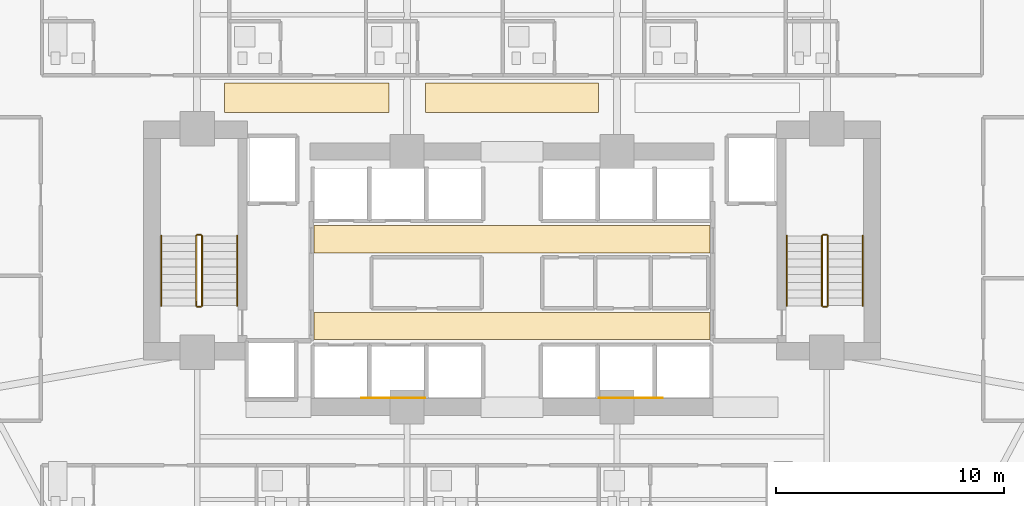
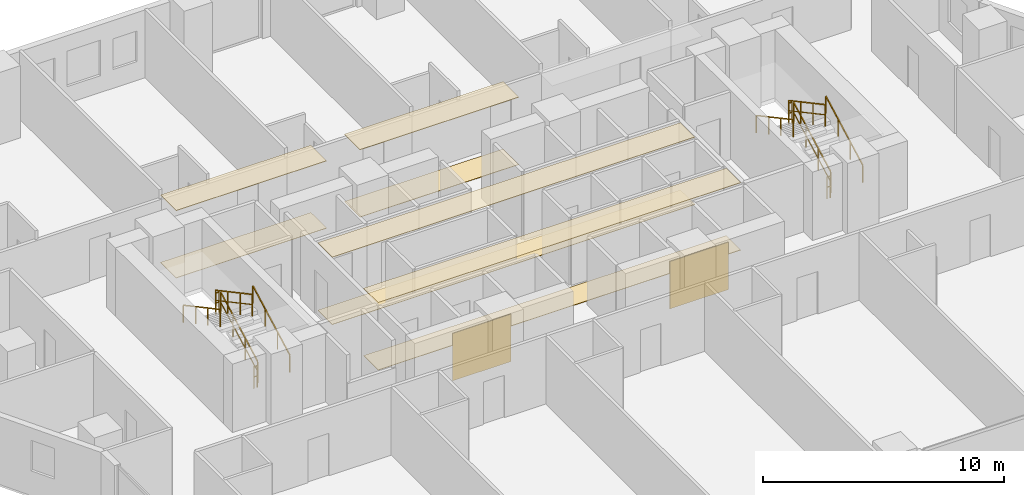
# One storey, part 26 of 28: 12 railings, 10 coverings.
"""IFC4 building model written with IfcOpenShell, lengths in metres."""

from ifc_helpers import new_model, si_unit, direction, frame, origin, origin_2d, place, context, subcontext, project, spatial, polyline, rectangle, outline, extrude, material, layer, layer_set, type_object, element, save


model = new_model("IFC4")

# Units and contexts
model_context = context("Model", 3, precision=1e-05, world=origin(), true_north=direction((0.0, 1.0)))
body_context = subcontext(model_context, "Body", "Model", "MODEL_VIEW")
ifc_project = project(units=[si_unit("LENGTHUNIT", "METRE"), si_unit("AREAUNIT", "SQUARE_METRE"), si_unit("VOLUMEUNIT", "CUBIC_METRE"), si_unit("PLANEANGLEUNIT", "RADIAN"), si_unit("MASSUNIT", "GRAM", prefix="KILO")], contexts=[model_context])

# Site, building, storey
site_placement = place(None, origin())
site = spatial("IfcSite", under=ifc_project, at=site_placement, CompositionType="ELEMENT")
building_placement = place(site_placement, origin())
building = spatial("IfcBuilding", under=site, at=building_placement, Name="Zuhayl Quay Hotel", CompositionType="ELEMENT")
storey_placement = place(building_placement, frame((0.0, 0.0, 99.300048828125)))
storey = spatial("IfcBuildingStorey", under=building, at=storey_placement, Name="L24", CompositionType="ELEMENT", Elevation=99.300048828125)

# Coverings
ifc_material_1 = material(Name="Acoustic Mineral-Fibre Gypsum Board")
ifc_layer_1 = layer(ifc_material_1, 0.02490234375, Name="Acoustic Mineral-Fibre Gypsum Board")
ifc_layer_set_1 = layer_set([ifc_layer_1], Name="Acoustic Mineral-Fibre Gypsum Board")
covering_type_1 = type_object("IfcCoveringType", Name="CV_CEIL_ACOUSTIC", PredefinedType="CEILING", material=ifc_layer_set_1)
covering_1_placement = place(storey_placement, frame((0.0, 0.0, 3.405029296875)))
element("IfcCovering", 1, at=covering_1_placement, inside=storey, type_object=covering_type_1, Name="L24 Suspended Acoustic Lobby Ceiling S", PredefinedType="CEILING", context=body_context, shape_type="SweptSolid", body=[
    extrude(outline(polyline([(-8.679931640625, 5.10009765625), (8.679931640625, 5.10009765625), (8.679931640625, 6.300048828125), (-8.679931640625, 6.300048828125), (-8.679931640625, 5.10009765625)])), origin(), (0.0, 0.0, 1.0), 0.02490234375),
])
covering_2_placement = place(storey_placement, frame((0.0, 0.0, 3.405029296875)))
element("IfcCovering", 2, at=covering_2_placement, inside=storey, type_object=covering_type_1, Name="L24 Suspended Acoustic Lobby Ceiling N", PredefinedType="CEILING", context=body_context, shape_type="SweptSolid", body=[
    extrude(outline(polyline([(-8.679931640625, 8.89990234375), (8.679931640625, 8.89990234375), (8.679931640625, 10.10009765625), (-8.679931640625, 10.10009765625), (-8.679931640625, 8.89990234375)])), origin(), (0.0, 0.0, 1.0), 0.02490234375),
])
covering_3_placement = place(storey_placement, frame((0.0, 0.0, 3.405029296875)))
element("IfcCovering", 3, at=covering_3_placement, inside=storey, type_object=covering_type_1, Name="L24 Guest Corridor Acoustic Ceiling CW", PredefinedType="CEILING", context=body_context, shape_type="SweptSolid", body=[
    extrude(outline(polyline([(-12.60009765625, 15.050048828125), (-5.39990234375, 15.050048828125), (-5.39990234375, 16.35009765625), (-12.60009765625, 16.35009765625), (-12.60009765625, 15.050048828125)])), origin(), (0.0, 0.0, 1.0), 0.02490234375),
])
covering_4_placement = place(storey_placement, frame((0.0, 0.0, 3.405029296875)))
element("IfcCovering", 4, at=covering_4_placement, inside=storey, type_object=covering_type_1, Name="L24 Guest Corridor Acoustic Ceiling CC", PredefinedType="CEILING", context=body_context, shape_type="SweptSolid", body=[
    extrude(outline(polyline([(-3.800048828125, 15.050048828125), (3.800048828125, 15.050048828125), (3.800048828125, 16.35009765625), (-3.800048828125, 16.35009765625), (-3.800048828125, 15.050048828125)])), origin(), (0.0, 0.0, 1.0), 0.02490234375),
])
ifc_material_2 = material(Name="Polished Limestone Terrazzo", Category="masonry")
ifc_layer_2 = layer(ifc_material_2, 0.02001953125, Name="Polished Limestone Terrazzo", Category="masonry")
ifc_layer_set_2 = layer_set([ifc_layer_2], Name="Polished Limestone Terrazzo")
covering_type_2 = type_object("IfcCoveringType", Name="CV_FLOOR_TERRAZZO", PredefinedType="FLOORING", material=ifc_layer_set_2)
covering_5_placement = place(storey_placement, origin())
element("IfcCovering", 5, at=covering_5_placement, inside=storey, type_object=covering_type_2, Name="L24 Honed Limestone Terrazzo Lobby Flooring S", PredefinedType="FLOORING", context=body_context, shape_type="SweptSolid", body=[
    extrude(outline(polyline([(-8.679931640625, 5.10009765625), (8.679931640625, 5.10009765625), (8.679931640625, 6.300048828125), (-8.679931640625, 6.300048828125), (-8.679931640625, 5.10009765625)])), origin(), (0.0, 0.0, 1.0), 0.02001953125),
])
covering_6_placement = place(storey_placement, origin())
element("IfcCovering", 6, at=covering_6_placement, inside=storey, type_object=covering_type_2, Name="L24 Honed Limestone Terrazzo Lobby Flooring N", PredefinedType="FLOORING", context=body_context, shape_type="SweptSolid", body=[
    extrude(outline(polyline([(-8.679931640625, 8.89990234375), (8.679931640625, 8.89990234375), (8.679931640625, 10.10009765625), (-8.679931640625, 10.10009765625), (-8.679931640625, 8.89990234375)])), origin(), (0.0, 0.0, 1.0), 0.02001953125),
])
covering_7_placement = place(storey_placement, origin())
element("IfcCovering", 7, at=covering_7_placement, inside=storey, type_object=covering_type_2, Name="L24 Guest Corridor Terrazzo Runner CW", PredefinedType="FLOORING", context=body_context, shape_type="SweptSolid", body=[
    extrude(outline(polyline([(-12.60009765625, 15.050048828125), (-5.39990234375, 15.050048828125), (-5.39990234375, 16.35009765625), (-12.60009765625, 16.35009765625), (-12.60009765625, 15.050048828125)])), origin(), (0.0, 0.0, 1.0), 0.02001953125),
])
covering_8_placement = place(storey_placement, origin())
element("IfcCovering", 8, at=covering_8_placement, inside=storey, type_object=covering_type_2, Name="L24 Guest Corridor Terrazzo Runner CC", PredefinedType="FLOORING", context=body_context, shape_type="SweptSolid", body=[
    extrude(outline(polyline([(-3.800048828125, 15.050048828125), (3.800048828125, 15.050048828125), (3.800048828125, 16.35009765625), (-3.800048828125, 16.35009765625), (-3.800048828125, 15.050048828125)])), origin(), (0.0, 0.0, 1.0), 0.02001953125),
])
ifc_material_3 = material(Name="Acoustic Walnut Feature Timber", Category="wood")
ifc_layer_3 = layer(ifc_material_3, 0.02197265625, Name="Acoustic Walnut Feature Timber", Category="wood")
ifc_layer_set_3 = layer_set([ifc_layer_3], Name="Acoustic Walnut Feature Timber")
covering_type_3 = type_object("IfcCoveringType", Name="CV_WALL_CLAD", PredefinedType="CLADDING", material=ifc_layer_set_3)
for number, where, z_axis, x_axis, name in (
    (9, (-5.199951171875, 2.535888671875, 0.300048828125), (0.0, 0.0, 1.0), (1.0, 0.0, 0.0), "L24 Feature Lobby Walnut Wall Cladding W"),
    (10, (5.199951171875, 2.535888671875, 0.300048828125), (0.0, 0.0, 1.0), (1.0, 0.0, 0.0), "L24 Feature Lobby Walnut Wall Cladding E"),
):
    element("IfcCovering", number, at=place(storey_placement, frame(where, z_axis=z_axis, x_axis=x_axis)), inside=storey, type_object=covering_type_3, Name=name, PredefinedType="CLADDING", context=body_context, shape_type="SweptSolid", body=[
        extrude(rectangle(XDim=2.800048828125, YDim=0.02197265625, at=origin_2d()), origin(), (0.0, 0.0, 1.0), 2.39990234375),
    ])

# Railings
ifc_material_4 = material(Name="Steel ASTM A992 Grade 50", Category="steel")
railing_type_1 = type_object("IfcRailingType", Name="RL_GUARD_1100", PredefinedType="GUARDRAIL", material=ifc_material_4)
railing_1_placement = place(storey_placement, frame((-13.590087890625, 6.590087890625, 0.182373046875)))
element("IfcRailing", 11, at=railing_1_placement, inside=storey, type_object=railing_type_1, Name="L24 ST1 stair guard 1", PredefinedType="GUARDRAIL", context=body_context, shape_type="SweptSolid", body=[
    extrude(rectangle(XDim=0.048095703125, YDim=0.048095703125, at=origin_2d()), frame((0.0, 0.0, 1.09619140625), z_axis=(0.0, 0.88107310026, 0.472980117973), x_axis=(-1.0, 0.0, 0.0)), (0.0, 0.0, 1.0), 3.472900390625),
    extrude(rectangle(XDim=0.0361328125, YDim=0.0361328125, at=origin_2d()), frame((0.0, 0.0, 0.58251953125), z_axis=(0.0, 0.88107310026, 0.472980117973), x_axis=(-1.0, 0.0, 0.0)), (0.0, 0.0, 1.0), 3.472900390625),
    extrude(rectangle(XDim=0.0419921875, YDim=0.0419921875, at=origin_2d()), origin(), (0.0, 0.0, 1.0), 1.072021484375),
    extrude(rectangle(XDim=0.0419921875, YDim=0.0419921875, at=origin_2d()), frame((0.0, 1.02001953125, 0.547607421875)), (0.0, 0.0, 1.0), 1.072021484375),
    extrude(rectangle(XDim=0.0419921875, YDim=0.0419921875, at=origin_2d()), frame((0.0, 2.039794921875, 1.094970703125)), (0.0, 0.0, 1.0), 1.072021484375),
    extrude(rectangle(XDim=0.0419921875, YDim=0.0419921875, at=origin_2d()), frame((0.0, 3.059814453125, 1.642578125)), (0.0, 0.0, 1.0), 1.072021484375),
])
railing_2_placement = place(storey_placement, frame((-13.639892578125, 9.699951171875, 1.824951171875)))
element("IfcRailing", 12, at=railing_2_placement, inside=storey, type_object=railing_type_1, Name="L24 ST1 stair guard 2", PredefinedType="GUARDRAIL", context=body_context, shape_type="SweptSolid", body=[
    extrude(rectangle(XDim=0.048095703125, YDim=0.048095703125, at=origin_2d()), frame((0.0, 0.0, 1.09619140625), z_axis=(-1.0, 0.0, 0.0), x_axis=(0.0, -1.0, 0.0)), (0.0, 0.0, 1.0), 0.150146484375),
    extrude(rectangle(XDim=0.0361328125, YDim=0.0361328125, at=origin_2d()), frame((0.0, 0.0, 0.58251953125), z_axis=(-1.0, 0.0, 0.0), x_axis=(0.0, -1.0, 0.0)), (0.0, 0.0, 1.0), 0.150146484375),
    extrude(rectangle(XDim=0.0419921875, YDim=0.0419921875, at=origin_2d()), origin(), (0.0, 0.0, 1.0), 1.072021484375),
    extrude(rectangle(XDim=0.0419921875, YDim=0.0419921875, at=origin_2d()), frame((-0.150146484375, 0.0, 0.0)), (0.0, 0.0, 1.0), 1.072021484375),
])
railing_3_placement = place(storey_placement, frame((-13.840087890625, 9.64990234375, 2.007568359375)))
element("IfcRailing", 13, at=railing_3_placement, inside=storey, type_object=railing_type_1, Name="L24 ST1 stair guard 3", PredefinedType="GUARDRAIL", context=body_context, shape_type="SweptSolid", body=[
    extrude(rectangle(XDim=0.048095703125, YDim=0.048095703125, at=origin_2d()), frame((0.0, 0.0, 1.09619140625), z_axis=(0.0, -0.881102395774, 0.472925541879), x_axis=(1.0, 0.0, 0.0)), (0.0, 0.0, 1.0), 3.47265625),
    extrude(rectangle(XDim=0.0361328125, YDim=0.0361328125, at=origin_2d()), frame((0.0, 0.0, 0.58251953125), z_axis=(0.0, -0.881102395774, 0.472925541879), x_axis=(1.0, 0.0, 0.0)), (0.0, 0.0, 1.0), 3.47265625),
    extrude(rectangle(XDim=0.0419921875, YDim=0.0419921875, at=origin_2d()), origin(), (0.0, 0.0, 1.0), 1.072021484375),
    extrude(rectangle(XDim=0.0419921875, YDim=0.0419921875, at=origin_2d()), frame((0.0, -1.02001953125, 0.54736328125)), (0.0, 0.0, 1.0), 1.072021484375),
    extrude(rectangle(XDim=0.0419921875, YDim=0.0419921875, at=origin_2d()), frame((0.0, -2.039794921875, 1.094970703125)), (0.0, 0.0, 1.0), 1.072021484375),
    extrude(rectangle(XDim=0.0419921875, YDim=0.0419921875, at=origin_2d()), frame((0.0, -3.059814453125, 1.642333984375)), (0.0, 0.0, 1.0), 1.072021484375),
])
railing_4_placement = place(storey_placement, frame((-13.639892578125, 6.5400390625, 0.0)))
element("IfcRailing", 14, at=railing_4_placement, inside=storey, type_object=railing_type_1, Name="L24 ST1 stair guard 4", PredefinedType="GUARDRAIL", context=body_context, shape_type="SweptSolid", body=[
    extrude(rectangle(XDim=0.048095703125, YDim=0.048095703125, at=origin_2d()), frame((0.0, 0.0, 1.09619140625), z_axis=(-1.0, 0.0, 0.0), x_axis=(0.0, -1.0, 0.0)), (0.0, 0.0, 1.0), 0.150146484375),
    extrude(rectangle(XDim=0.0361328125, YDim=0.0361328125, at=origin_2d()), frame((0.0, 0.0, 0.58251953125), z_axis=(-1.0, 0.0, 0.0), x_axis=(0.0, -1.0, 0.0)), (0.0, 0.0, 1.0), 0.150146484375),
    extrude(rectangle(XDim=0.0419921875, YDim=0.0419921875, at=origin_2d()), origin(), (0.0, 0.0, 1.0), 1.072021484375),
    extrude(rectangle(XDim=0.0419921875, YDim=0.0419921875, at=origin_2d()), frame((-0.150146484375, 0.0, 0.0)), (0.0, 0.0, 1.0), 1.072021484375),
])
railing_5_placement = place(storey_placement, frame((13.840087890625, 6.590087890625, 0.182373046875)))
element("IfcRailing", 15, at=railing_5_placement, inside=storey, type_object=railing_type_1, Name="L24 ST2 stair guard 1", PredefinedType="GUARDRAIL", context=body_context, shape_type="SweptSolid", body=[
    extrude(rectangle(XDim=0.048095703125, YDim=0.048095703125, at=origin_2d()), frame((0.0, 0.0, 1.09619140625), z_axis=(0.0, 0.88107310026, 0.472980117973), x_axis=(-1.0, 0.0, 0.0)), (0.0, 0.0, 1.0), 3.472900390625),
    extrude(rectangle(XDim=0.0361328125, YDim=0.0361328125, at=origin_2d()), frame((0.0, 0.0, 0.58251953125), z_axis=(0.0, 0.88107310026, 0.472980117973), x_axis=(-1.0, 0.0, 0.0)), (0.0, 0.0, 1.0), 3.472900390625),
    extrude(rectangle(XDim=0.0419921875, YDim=0.0419921875, at=origin_2d()), origin(), (0.0, 0.0, 1.0), 1.072021484375),
    extrude(rectangle(XDim=0.0419921875, YDim=0.0419921875, at=origin_2d()), frame((0.0, 1.02001953125, 0.547607421875)), (0.0, 0.0, 1.0), 1.072021484375),
    extrude(rectangle(XDim=0.0419921875, YDim=0.0419921875, at=origin_2d()), frame((0.0, 2.039794921875, 1.094970703125)), (0.0, 0.0, 1.0), 1.072021484375),
    extrude(rectangle(XDim=0.0419921875, YDim=0.0419921875, at=origin_2d()), frame((0.0, 3.059814453125, 1.642578125)), (0.0, 0.0, 1.0), 1.072021484375),
])
railing_6_placement = place(storey_placement, frame((13.7900390625, 9.699951171875, 1.824951171875)))
element("IfcRailing", 16, at=railing_6_placement, inside=storey, type_object=railing_type_1, Name="L24 ST2 stair guard 2", PredefinedType="GUARDRAIL", context=body_context, shape_type="SweptSolid", body=[
    extrude(rectangle(XDim=0.048095703125, YDim=0.048095703125, at=origin_2d()), frame((0.0, 0.0, 1.09619140625), z_axis=(-1.0, 0.0, 0.0), x_axis=(0.0, -1.0, 0.0)), (0.0, 0.0, 1.0), 0.150146484375),
    extrude(rectangle(XDim=0.0361328125, YDim=0.0361328125, at=origin_2d()), frame((0.0, 0.0, 0.58251953125), z_axis=(-1.0, 0.0, 0.0), x_axis=(0.0, -1.0, 0.0)), (0.0, 0.0, 1.0), 0.150146484375),
    extrude(rectangle(XDim=0.0419921875, YDim=0.0419921875, at=origin_2d()), origin(), (0.0, 0.0, 1.0), 1.072021484375),
    extrude(rectangle(XDim=0.0419921875, YDim=0.0419921875, at=origin_2d()), frame((-0.150146484375, 0.0, 0.0)), (0.0, 0.0, 1.0), 1.072021484375),
])
railing_7_placement = place(storey_placement, frame((13.590087890625, 9.64990234375, 2.007568359375)))
element("IfcRailing", 17, at=railing_7_placement, inside=storey, type_object=railing_type_1, Name="L24 ST2 stair guard 3", PredefinedType="GUARDRAIL", context=body_context, shape_type="SweptSolid", body=[
    extrude(rectangle(XDim=0.048095703125, YDim=0.048095703125, at=origin_2d()), frame((0.0, 0.0, 1.09619140625), z_axis=(0.0, -0.881102395774, 0.472925541879), x_axis=(1.0, 0.0, 0.0)), (0.0, 0.0, 1.0), 3.47265625),
    extrude(rectangle(XDim=0.0361328125, YDim=0.0361328125, at=origin_2d()), frame((0.0, 0.0, 0.58251953125), z_axis=(0.0, -0.881102395774, 0.472925541879), x_axis=(1.0, 0.0, 0.0)), (0.0, 0.0, 1.0), 3.47265625),
    extrude(rectangle(XDim=0.0419921875, YDim=0.0419921875, at=origin_2d()), origin(), (0.0, 0.0, 1.0), 1.072021484375),
    extrude(rectangle(XDim=0.0419921875, YDim=0.0419921875, at=origin_2d()), frame((0.0, -1.02001953125, 0.54736328125)), (0.0, 0.0, 1.0), 1.072021484375),
    extrude(rectangle(XDim=0.0419921875, YDim=0.0419921875, at=origin_2d()), frame((0.0, -2.039794921875, 1.094970703125)), (0.0, 0.0, 1.0), 1.072021484375),
    extrude(rectangle(XDim=0.0419921875, YDim=0.0419921875, at=origin_2d()), frame((0.0, -3.059814453125, 1.642333984375)), (0.0, 0.0, 1.0), 1.072021484375),
])
railing_8_placement = place(storey_placement, frame((13.7900390625, 6.5400390625, 0.0)))
element("IfcRailing", 18, at=railing_8_placement, inside=storey, type_object=railing_type_1, Name="L24 ST2 stair guard 4", PredefinedType="GUARDRAIL", context=body_context, shape_type="SweptSolid", body=[
    extrude(rectangle(XDim=0.048095703125, YDim=0.048095703125, at=origin_2d()), frame((0.0, 0.0, 1.09619140625), z_axis=(-1.0, 0.0, 0.0), x_axis=(0.0, -1.0, 0.0)), (0.0, 0.0, 1.0), 0.150146484375),
    extrude(rectangle(XDim=0.0361328125, YDim=0.0361328125, at=origin_2d()), frame((0.0, 0.0, 0.58251953125), z_axis=(-1.0, 0.0, 0.0), x_axis=(0.0, -1.0, 0.0)), (0.0, 0.0, 1.0), 0.150146484375),
    extrude(rectangle(XDim=0.0419921875, YDim=0.0419921875, at=origin_2d()), origin(), (0.0, 0.0, 1.0), 1.072021484375),
    extrude(rectangle(XDim=0.0419921875, YDim=0.0419921875, at=origin_2d()), frame((-0.150146484375, 0.0, 0.0)), (0.0, 0.0, 1.0), 1.072021484375),
])
railing_type_2 = type_object("IfcRailingType", Name="RL_HANDRAIL_920", PredefinedType="HANDRAIL", material=ifc_material_4)
railing_9_placement = place(storey_placement, frame((-12.050048828125, 6.590087890625, 0.182373046875)))
element("IfcRailing", 19, at=railing_9_placement, inside=storey, type_object=railing_type_2, Name="L24 ST1 stair handrail 1", PredefinedType="HANDRAIL", context=body_context, shape_type="SweptSolid", body=[
    extrude(rectangle(XDim=0.048095703125, YDim=0.048095703125, at=origin_2d()), frame((0.0, 0.0, 0.8759765625), z_axis=(0.0, 0.88107310026, 0.472980117973), x_axis=(-1.0, 0.0, 0.0)), (0.0, 0.0, 1.0), 3.472900390625),
    extrude(rectangle(XDim=0.0419921875, YDim=0.0419921875, at=origin_2d()), origin(), (0.0, 0.0, 1.0), 0.851806640625),
    extrude(rectangle(XDim=0.0419921875, YDim=0.0419921875, at=origin_2d()), frame((0.0, 1.02001953125, 0.547607421875)), (0.0, 0.0, 1.0), 0.851806640625),
    extrude(rectangle(XDim=0.0419921875, YDim=0.0419921875, at=origin_2d()), frame((0.0, 2.039794921875, 1.094970703125)), (0.0, 0.0, 1.0), 0.851806640625),
    extrude(rectangle(XDim=0.0419921875, YDim=0.0419921875, at=origin_2d()), frame((0.0, 3.059814453125, 1.642578125)), (0.0, 0.0, 1.0), 0.851806640625),
])
railing_10_placement = place(storey_placement, frame((-15.3798828125, 9.64990234375, 2.007568359375)))
element("IfcRailing", 20, at=railing_10_placement, inside=storey, type_object=railing_type_2, Name="L24 ST1 stair handrail 2", PredefinedType="HANDRAIL", context=body_context, shape_type="SweptSolid", body=[
    extrude(rectangle(XDim=0.048095703125, YDim=0.048095703125, at=origin_2d()), frame((0.0, 0.0, 0.8759765625), z_axis=(0.0, -0.881102395774, 0.472925541879), x_axis=(1.0, 0.0, 0.0)), (0.0, 0.0, 1.0), 3.47265625),
    extrude(rectangle(XDim=0.0419921875, YDim=0.0419921875, at=origin_2d()), origin(), (0.0, 0.0, 1.0), 0.851806640625),
    extrude(rectangle(XDim=0.0419921875, YDim=0.0419921875, at=origin_2d()), frame((0.0, -1.02001953125, 0.54736328125)), (0.0, 0.0, 1.0), 0.851806640625),
    extrude(rectangle(XDim=0.0419921875, YDim=0.0419921875, at=origin_2d()), frame((0.0, -2.039794921875, 1.094970703125)), (0.0, 0.0, 1.0), 0.851806640625),
    extrude(rectangle(XDim=0.0419921875, YDim=0.0419921875, at=origin_2d()), frame((0.0, -3.059814453125, 1.642333984375)), (0.0, 0.0, 1.0), 0.851806640625),
])
railing_11_placement = place(storey_placement, frame((15.3798828125, 6.590087890625, 0.182373046875)))
element("IfcRailing", 21, at=railing_11_placement, inside=storey, type_object=railing_type_2, Name="L24 ST2 stair handrail 1", PredefinedType="HANDRAIL", context=body_context, shape_type="SweptSolid", body=[
    extrude(rectangle(XDim=0.048095703125, YDim=0.048095703125, at=origin_2d()), frame((0.0, 0.0, 0.8759765625), z_axis=(0.0, 0.88107310026, 0.472980117973), x_axis=(-1.0, 0.0, 0.0)), (0.0, 0.0, 1.0), 3.472900390625),
    extrude(rectangle(XDim=0.0419921875, YDim=0.0419921875, at=origin_2d()), origin(), (0.0, 0.0, 1.0), 0.851806640625),
    extrude(rectangle(XDim=0.0419921875, YDim=0.0419921875, at=origin_2d()), frame((0.0, 1.02001953125, 0.547607421875)), (0.0, 0.0, 1.0), 0.851806640625),
    extrude(rectangle(XDim=0.0419921875, YDim=0.0419921875, at=origin_2d()), frame((0.0, 2.039794921875, 1.094970703125)), (0.0, 0.0, 1.0), 0.851806640625),
    extrude(rectangle(XDim=0.0419921875, YDim=0.0419921875, at=origin_2d()), frame((0.0, 3.059814453125, 1.642578125)), (0.0, 0.0, 1.0), 0.851806640625),
])
railing_12_placement = place(storey_placement, frame((12.050048828125, 9.64990234375, 2.007568359375)))
element("IfcRailing", 22, at=railing_12_placement, inside=storey, type_object=railing_type_2, Name="L24 ST2 stair handrail 2", PredefinedType="HANDRAIL", context=body_context, shape_type="SweptSolid", body=[
    extrude(rectangle(XDim=0.048095703125, YDim=0.048095703125, at=origin_2d()), frame((0.0, 0.0, 0.8759765625), z_axis=(0.0, -0.881102395774, 0.472925541879), x_axis=(1.0, 0.0, 0.0)), (0.0, 0.0, 1.0), 3.47265625),
    extrude(rectangle(XDim=0.0419921875, YDim=0.0419921875, at=origin_2d()), origin(), (0.0, 0.0, 1.0), 0.851806640625),
    extrude(rectangle(XDim=0.0419921875, YDim=0.0419921875, at=origin_2d()), frame((0.0, -1.02001953125, 0.54736328125)), (0.0, 0.0, 1.0), 0.851806640625),
    extrude(rectangle(XDim=0.0419921875, YDim=0.0419921875, at=origin_2d()), frame((0.0, -2.039794921875, 1.094970703125)), (0.0, 0.0, 1.0), 0.851806640625),
    extrude(rectangle(XDim=0.0419921875, YDim=0.0419921875, at=origin_2d()), frame((0.0, -3.059814453125, 1.642333984375)), (0.0, 0.0, 1.0), 0.851806640625),
])

save(model, "model.ifc")
